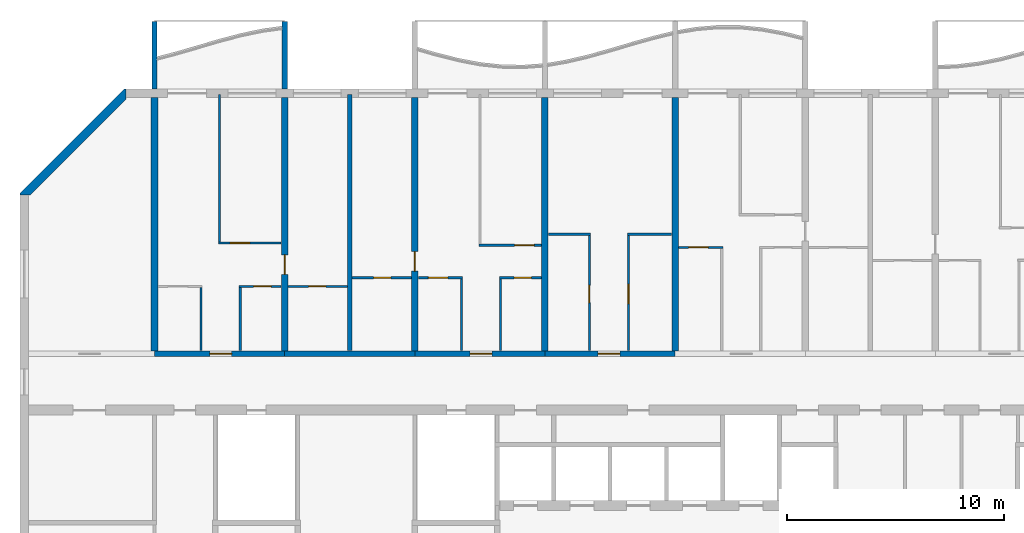
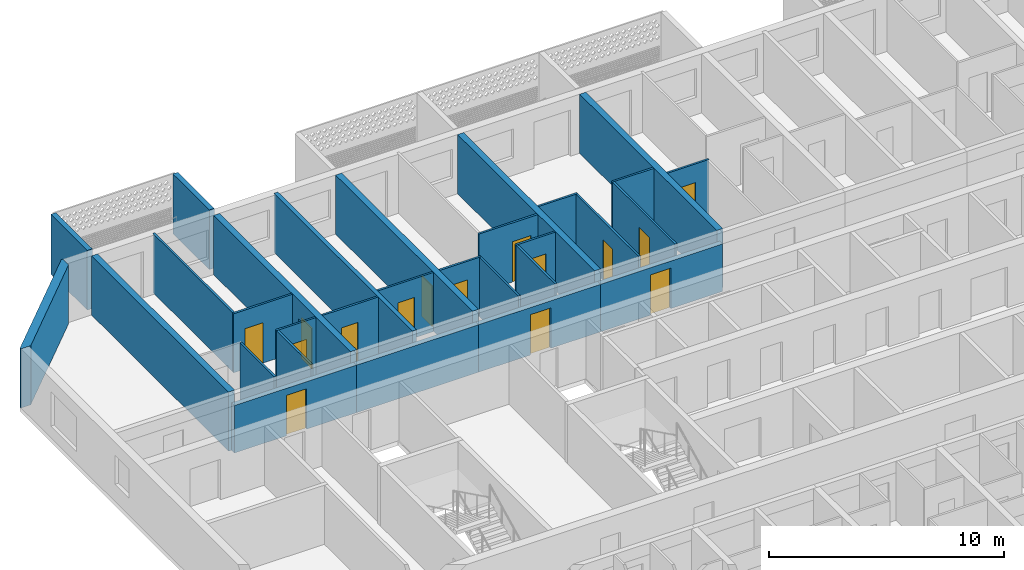
# One storey, part 9 of 33: 30 walls, 15 doors, 15 openings.
"""IFC4 building model written with IfcOpenShell, lengths in metres."""

from ifc_helpers import new_model, si_unit, direction, frame, frame_2d, origin, place, context, subcontext, project, spatial, polyline, rectangle, outline, extrude, source, transform, mapped, material, layer, layer_set, type_object, element, fill, save


model = new_model("IFC4")

# Units and contexts
model_context = context("Model", 3, precision=1e-05, world=origin(), true_north=direction((0.0, 1.0)))
body_context = subcontext(model_context, "Body", "Model", "MODEL_VIEW")
ifc_project = project(units=[si_unit("LENGTHUNIT", "METRE"), si_unit("AREAUNIT", "SQUARE_METRE"), si_unit("VOLUMEUNIT", "CUBIC_METRE"), si_unit("PLANEANGLEUNIT", "RADIAN"), si_unit("MASSUNIT", "GRAM", prefix="KILO")], contexts=[model_context])

# Site, building, storey
site_placement = place(None, origin())
site = spatial("IfcSite", under=ifc_project, at=site_placement, CompositionType="ELEMENT")
building_placement = place(site_placement, origin())
building = spatial("IfcBuilding", under=site, at=building_placement, Name="Poui Terraces", CompositionType="ELEMENT")
storey_placement = place(building_placement, frame((0.0, 0.0, 138.89990234375)))
storey = spatial("IfcBuildingStorey", under=building, at=storey_placement, Name="L38", CompositionType="ELEMENT", Elevation=138.89990234375)

# Wall, opening, door
ifc_material_1 = material(Name="Concrete 65 MPa", Category="concrete")
ifc_layer_1 = layer(ifc_material_1, 0.25)
ifc_layer_set_1 = layer_set([ifc_layer_1], Name="Concrete 65 MPa")
wall_type_1 = type_object("IfcWallType", Name="CORRIDOR WALL 250 65MPa", PredefinedType="SHEAR", material=ifc_layer_set_1)
wall_1_placement = place(storey_placement, frame((18.0, 30.39990234375, 0.0), z_axis=(0.0, 0.0, 1.0), x_axis=(1.0, 0.0, 0.0)))
wall_1 = element("IfcWall", 1, at=wall_1_placement, inside=storey, type_object=wall_type_1, Name="CORRIDOR WALL LINE E BAY 2", PredefinedType="SHEAR", context=body_context, shape_type="SweptSolid", body=[
    extrude(rectangle(XDim=6.0, YDim=0.25, at=frame_2d((3.0, 0.0))), origin(), (0.0, 0.0, 1.0), 2.47021484375),
])
opening_1_placement = place(wall_1_placement, frame((2.550048828125, 0.0, 0.0)))
opening_1 = element("IfcOpeningElement", 2, at=opening_1_placement, cuts=wall_1, Name="Opening FD30S", PredefinedType="OPENING", context=body_context, shape_type="SweptSolid", body=[
    extrude(rectangle(XDim=1.0, YDim=2.10009765625, at=frame_2d((0.5, 1.050048828125))), frame((0.0, 0.135009765625, 0.0), z_axis=(0.0, -1.0, 0.0), x_axis=(1.0, 0.0, 0.0)), (0.0, 0.0, 1.0), 0.27001953125),
])
ifc_material_2 = material(Name="Steel fire door", Category="steel")
door_type_1 = type_object("IfcDoorType", Name="FLAT ENTRANCE DOOR 1000 X 2100", OperationType="NOTDEFINED", PredefinedType="DOOR", material=ifc_material_2)
door_1_placement = place(opening_1_placement, origin())
door_1 = element("IfcDoor", 3, at=door_1_placement, inside=storey, type_object=door_type_1, Name="FLAT ENTRANCE DOOR 034", OperationType="SINGLE_SWING_RIGHT", OverallHeight=2.10009765625, OverallWidth=1.0, PredefinedType="DOOR", context=body_context, shape_type="SweptSolid", body=[
    extrude(rectangle(XDim=1.0, YDim=2.10009765625, at=frame_2d((0.5, 1.050048828125))), frame((0.0, 0.02490234375, 0.0), z_axis=(0.0, -1.0, 0.0), x_axis=(1.0, 0.0, 0.0)), (0.0, 0.0, 1.0), 0.050048828125),
])
fill(opening_1, door_1)

# Wall
wall_2_placement = place(storey_placement, frame((24.0, 30.39990234375, 0.0), z_axis=(0.0, 0.0, 1.0), x_axis=(1.0, 0.0, 0.0)))
element("IfcWall", 4, at=wall_2_placement, inside=storey, type_object=wall_type_1, Name="CORRIDOR WALL LINE E BAY 3", PredefinedType="SHEAR", context=body_context, shape_type="SweptSolid", body=[
    extrude(rectangle(XDim=6.0, YDim=0.25, at=frame_2d((3.0, 0.0))), origin(), (0.0, 0.0, 1.0), 2.47021484375),
])

# Wall, opening, door
wall_3_placement = place(storey_placement, frame((30.0, 30.39990234375, 0.0), z_axis=(0.0, 0.0, 1.0), x_axis=(1.0, 0.0, 0.0)))
wall_3 = element("IfcWall", 5, at=wall_3_placement, inside=storey, type_object=wall_type_1, Name="CORRIDOR WALL LINE E BAY 4", PredefinedType="SHEAR", context=body_context, shape_type="SweptSolid", body=[
    extrude(rectangle(XDim=6.0, YDim=0.25, at=frame_2d((3.0, 0.0))), origin(), (0.0, 0.0, 1.0), 2.47021484375),
])
opening_2_placement = place(wall_3_placement, frame((2.550048828125, 0.0, 0.0)))
opening_2 = element("IfcOpeningElement", 6, at=opening_2_placement, cuts=wall_3, Name="Opening FD30S", PredefinedType="OPENING", context=body_context, shape_type="SweptSolid", body=[
    extrude(rectangle(XDim=1.0, YDim=2.10009765625, at=frame_2d((0.5, 1.050048828125))), frame((0.0, 0.135009765625, 0.0), z_axis=(0.0, -1.0, 0.0), x_axis=(1.0, 0.0, 0.0)), (0.0, 0.0, 1.0), 0.27001953125),
])
door_2_placement = place(opening_2_placement, origin())
door_2 = element("IfcDoor", 7, at=door_2_placement, inside=storey, type_object=door_type_1, Name="FLAT ENTRANCE DOOR 041", OperationType="SINGLE_SWING_RIGHT", OverallHeight=2.10009765625, OverallWidth=1.0, PredefinedType="DOOR", context=body_context, shape_type="SweptSolid", body=[
    extrude(rectangle(XDim=1.0, YDim=2.10009765625, at=frame_2d((0.5, 1.050048828125))), frame((0.0, 0.02490234375, 0.0), z_axis=(0.0, -1.0, 0.0), x_axis=(1.0, 0.0, 0.0)), (0.0, 0.0, 1.0), 0.050048828125),
])
fill(opening_2, door_2)

wall_4_placement = place(storey_placement, frame((36.0, 30.39990234375, 0.0), z_axis=(0.0, 0.0, 1.0), x_axis=(1.0, 0.0, 0.0)))
wall_4 = element("IfcWall", 8, at=wall_4_placement, inside=storey, type_object=wall_type_1, Name="CORRIDOR WALL LINE E BAY 5", PredefinedType="SHEAR", context=body_context, shape_type="SweptSolid", body=[
    extrude(rectangle(XDim=6.0, YDim=0.25, at=frame_2d((3.0, 0.0))), origin(), (0.0, 0.0, 1.0), 2.47021484375),
])
opening_3_placement = place(wall_4_placement, frame((2.449951171875, 0.0, 0.0)))
opening_3 = element("IfcOpeningElement", 9, at=opening_3_placement, cuts=wall_4, Name="Opening FD30S", PredefinedType="OPENING", context=body_context, shape_type="SweptSolid", body=[
    extrude(rectangle(XDim=1.0, YDim=2.10009765625, at=frame_2d((0.5, 1.050048828125))), frame((0.0, 0.135009765625, 0.0), z_axis=(0.0, -1.0, 0.0), x_axis=(1.0, 0.0, 0.0)), (0.0, 0.0, 1.0), 0.27001953125),
])
door_3_placement = place(opening_3_placement, origin())
door_3 = element("IfcDoor", 10, at=door_3_placement, inside=storey, type_object=door_type_1, Name="FLAT ENTRANCE DOOR 045", OperationType="SINGLE_SWING_LEFT", OverallHeight=2.10009765625, OverallWidth=1.0, PredefinedType="DOOR", context=body_context, shape_type="SweptSolid", body=[
    extrude(rectangle(XDim=1.0, YDim=2.10009765625, at=frame_2d((0.5, 1.050048828125))), frame((0.0, 0.02490234375, 0.0), z_axis=(0.0, -1.0, 0.0), x_axis=(1.0, 0.0, 0.0)), (0.0, 0.0, 1.0), 0.050048828125),
])
fill(opening_3, door_3)

# Wall
ifc_layer_2 = layer(ifc_material_1, 0.300048828125)
ifc_layer_set_2 = layer_set([ifc_layer_2], Name="Concrete 65 MPa")
wall_type_2 = type_object("IfcWallType", Name="CROSS WALL 300 65MPa", PredefinedType="SHEAR", material=ifc_layer_set_2)
wall_5_placement = place(storey_placement, frame((18.0, 30.52490234375, 0.0), z_axis=(0.0, 0.0, 1.0), x_axis=(0.0, 1.0, 0.0)))
element("IfcWall", 11, at=wall_5_placement, inside=storey, type_object=wall_type_2, Name="CROSS WALL LINE 4 NORTH", PredefinedType="SHEAR", context=body_context, shape_type="SweptSolid", body=[
    extrude(rectangle(XDim=11.675048828125, YDim=0.300048828125, at=frame_2d((5.83740234375, 0.0))), origin(), (0.0, 0.0, 1.0), 3.070068359375),
])

# Wall, opening, door
wall_6_placement = place(storey_placement, frame((24.0, 30.52490234375, 0.0), z_axis=(0.0, 0.0, 1.0), x_axis=(0.0, 1.0, 0.0)))
wall_6 = element("IfcWall", 12, at=wall_6_placement, inside=storey, type_object=wall_type_2, Name="CROSS WALL LINE 5 NORTH", PredefinedType="SHEAR", context=body_context, shape_type="SweptSolid", body=[
    extrude(rectangle(XDim=11.675048828125, YDim=0.300048828125, at=frame_2d((5.83740234375, 0.0))), origin(), (0.0, 0.0, 1.0), 3.070068359375),
])
opening_4_placement = place(wall_6_placement, frame((3.52490234375, 0.0, 0.0)))
opening_4 = element("IfcOpeningElement", 13, at=opening_4_placement, cuts=wall_6, Name="Opening D90", PredefinedType="OPENING", context=body_context, shape_type="SweptSolid", body=[
    extrude(rectangle(XDim=0.89990234375, YDim=2.10009765625, at=frame_2d((0.449951171875, 1.050048828125))), frame((0.0, 0.16015625, 0.0), z_axis=(0.0, -1.0, 0.0), x_axis=(1.0, 0.0, 0.0)), (0.0, 0.0, 1.0), 0.320068359375),
])
ifc_material_3 = material(Name="Solid core timber door", Category="wood")
door_type_2 = type_object("IfcDoorType", Name="INTERNAL DOOR 900 X 2100", OperationType="NOTDEFINED", PredefinedType="DOOR", material=ifc_material_3)
door_4_placement = place(opening_4_placement, frame((0.89990234375, 0.0, 0.0), z_axis=(0.0, 0.0, 1.0), x_axis=(-1.0, 0.0, 0.0)))
door_4 = element("IfcDoor", 14, at=door_4_placement, inside=storey, type_object=door_type_2, Name="INTERNAL DOOR 037", OperationType="SINGLE_SWING_RIGHT", OverallHeight=2.10009765625, OverallWidth=0.89990234375, PredefinedType="DOOR", context=body_context, shape_type="SweptSolid", body=[
    extrude(rectangle(XDim=0.89990234375, YDim=2.10009765625, at=frame_2d((0.449951171875, 1.050048828125))), frame((0.0, 0.02490234375, 0.0), z_axis=(0.0, -1.0, 0.0), x_axis=(1.0, 0.0, 0.0)), (0.0, 0.0, 1.0), 0.050048828125),
])
fill(opening_4, door_4)

wall_7_placement = place(storey_placement, frame((30.0, 30.52490234375, 0.0), z_axis=(0.0, 0.0, 1.0), x_axis=(0.0, 1.0, 0.0)))
wall_7 = element("IfcWall", 15, at=wall_7_placement, inside=storey, type_object=wall_type_2, Name="CROSS WALL LINE 6 NORTH", PredefinedType="SHEAR", context=body_context, shape_type="SweptSolid", body=[
    extrude(rectangle(XDim=11.675048828125, YDim=0.300048828125, at=frame_2d((5.83740234375, 0.0))), origin(), (0.0, 0.0, 1.0), 3.070068359375),
])
opening_5_placement = place(wall_7_placement, frame((3.675048828125, 0.0, 0.0)))
opening_5 = element("IfcOpeningElement", 16, at=opening_5_placement, cuts=wall_7, Name="Opening D90", PredefinedType="OPENING", context=body_context, shape_type="SweptSolid", body=[
    extrude(rectangle(XDim=0.89990234375, YDim=2.10009765625, at=frame_2d((0.449951171875, 1.050048828125))), frame((0.0, 0.16015625, 0.0), z_axis=(0.0, -1.0, 0.0), x_axis=(1.0, 0.0, 0.0)), (0.0, 0.0, 1.0), 0.320068359375),
])
door_5_placement = place(opening_5_placement, origin())
door_5 = element("IfcDoor", 17, at=door_5_placement, inside=storey, type_object=door_type_2, Name="INTERNAL DOOR 039", OperationType="SINGLE_SWING_LEFT", OverallHeight=2.10009765625, OverallWidth=0.89990234375, PredefinedType="DOOR", context=body_context, shape_type="SweptSolid", body=[
    extrude(rectangle(XDim=0.89990234375, YDim=2.10009765625, at=frame_2d((0.449951171875, 1.050048828125))), frame((0.0, 0.02490234375, 0.0), z_axis=(0.0, -1.0, 0.0), x_axis=(1.0, 0.0, 0.0)), (0.0, 0.0, 1.0), 0.050048828125),
])
fill(opening_5, door_5)

# Walls
for number, where, z_axis, x_axis, name in (
    (18, (36.0, 30.52490234375, 0.0), (0.0, 0.0, 1.0), (0.0, 1.0, 0.0), "CROSS WALL LINE 7 NORTH"),
    (19, (42.0, 30.52490234375, 0.0), (0.0, 0.0, 1.0), (0.0, 1.0, 0.0), "CROSS WALL LINE 8 NORTH"),
):
    element("IfcWall", number, at=place(storey_placement, frame(where, z_axis=z_axis, x_axis=x_axis)), inside=storey, type_object=wall_type_2, Name=name, PredefinedType="SHEAR", context=body_context, shape_type="SweptSolid", body=[
        extrude(rectangle(XDim=11.675048828125, YDim=0.300048828125, at=frame_2d((5.83740234375, 0.0))), origin(), (0.0, 0.0, 1.0), 3.070068359375),
    ])

# Wall, opening, door
ifc_material_4 = material(Name="Plasterboard partition")
ifc_layer_3 = layer(ifc_material_4, 0.10009765625)
ifc_layer_set_3 = layer_set([ifc_layer_3], Name="Plasterboard partition")
wall_type_3 = type_object("IfcWallType", Name="FLAT PARTITION 100", PredefinedType="PARTITIONING", material=ifc_layer_set_3)
wall_8_placement = place(storey_placement, frame((21.89990234375, 33.5, 0.0), z_axis=(0.0, 0.0, 1.0), x_axis=(1.0, 0.0, 0.0)))
wall_8 = element("IfcWall", 20, at=wall_8_placement, inside=storey, type_object=wall_type_3, Name="FLAT PARTITION 100", PredefinedType="PARTITIONING", context=body_context, shape_type="SweptSolid", body=[
    extrude(rectangle(XDim=1.940185546875, YDim=0.10009765625, at=frame_2d((0.97021484375, 0.0))), origin(), (0.0, 0.0, 1.0), 3.070068359375),
])
opening_6_placement = place(wall_8_placement, frame((0.675048828125, 0.0, 0.0)))
opening_6 = element("IfcOpeningElement", 21, at=opening_6_placement, cuts=wall_8, Name="Opening D80", PredefinedType="OPENING", context=body_context, shape_type="SweptSolid", body=[
    extrude(rectangle(XDim=0.800048828125, YDim=2.10009765625, at=frame_2d((0.39990234375, 1.050048828125))), frame((0.0, 0.06005859375, 0.0), z_axis=(0.0, -1.0, 0.0), x_axis=(1.0, 0.0, 0.0)), (0.0, 0.0, 1.0), 0.1201171875),
])
door_type_3 = type_object("IfcDoorType", Name="BATHROOM, LAUNDRY AND STORE DOOR 800 X 2100", OperationType="NOTDEFINED", PredefinedType="DOOR", material=ifc_material_3)
door_6_placement = place(opening_6_placement, frame((0.800048828125, 0.0, 0.0), z_axis=(0.0, 0.0, 1.0), x_axis=(-1.0, 0.0, 0.0)))
door_6 = element("IfcDoor", 22, at=door_6_placement, inside=storey, type_object=door_type_3, Name="BATHROOM, LAUNDRY AND STORE DOOR 036", OperationType="SINGLE_SWING_RIGHT", OverallHeight=2.10009765625, OverallWidth=0.800048828125, PredefinedType="DOOR", context=body_context, shape_type="SweptSolid", body=[
    extrude(rectangle(XDim=0.800048828125, YDim=2.10009765625, at=frame_2d((0.39990234375, 1.050048828125))), frame((0.0, 0.02490234375, 0.0), z_axis=(0.0, -1.0, 0.0), x_axis=(1.0, 0.0, 0.0)), (0.0, 0.0, 1.0), 0.050048828125),
])
fill(opening_6, door_6)

wall_9_placement = place(storey_placement, frame((24.159912109375, 33.5, 0.0), z_axis=(0.0, 0.0, 1.0), x_axis=(1.0, 0.0, 0.0)))
wall_9 = element("IfcWall", 23, at=wall_9_placement, inside=storey, type_object=wall_type_3, Name="FLAT PARTITION 100", PredefinedType="PARTITIONING", context=body_context, shape_type="SweptSolid", body=[
    extrude(rectangle(XDim=2.739990234375, YDim=0.10009765625, at=frame_2d((1.3701171875, 0.0))), origin(), (0.0, 0.0, 1.0), 3.070068359375),
])
opening_7_placement = place(wall_9_placement, frame((0.93994140625, 0.0, 0.0)))
opening_7 = element("IfcOpeningElement", 24, at=opening_7_placement, cuts=wall_9, Name="Opening D80", PredefinedType="OPENING", context=body_context, shape_type="SweptSolid", body=[
    extrude(rectangle(XDim=0.800048828125, YDim=2.10009765625, at=frame_2d((0.39990234375, 1.050048828125))), frame((0.0, 0.06005859375, 0.0), z_axis=(0.0, -1.0, 0.0), x_axis=(1.0, 0.0, 0.0)), (0.0, 0.0, 1.0), 0.1201171875),
])
door_7_placement = place(opening_7_placement, frame((0.800048828125, 0.0, 0.0), z_axis=(0.0, 0.0, 1.0), x_axis=(-1.0, 0.0, 0.0)))
door_7 = element("IfcDoor", 25, at=door_7_placement, inside=storey, type_object=door_type_3, Name="BATHROOM, LAUNDRY AND STORE DOOR 032", OperationType="SINGLE_SWING_LEFT", OverallHeight=2.10009765625, OverallWidth=0.800048828125, PredefinedType="DOOR", context=body_context, shape_type="SweptSolid", body=[
    extrude(rectangle(XDim=0.800048828125, YDim=2.10009765625, at=frame_2d((0.39990234375, 1.050048828125))), frame((0.0, 0.02490234375, 0.0), z_axis=(0.0, -1.0, 0.0), x_axis=(1.0, 0.0, 0.0)), (0.0, 0.0, 1.0), 0.050048828125),
])
fill(opening_7, door_7)

wall_10_placement = place(storey_placement, frame((27.10009765625, 33.89990234375, 0.0), z_axis=(0.0, 0.0, 1.0), x_axis=(1.0, 0.0, 0.0)))
wall_10 = element("IfcWall", 26, at=wall_10_placement, inside=storey, type_object=wall_type_3, Name="FLAT PARTITION 100", PredefinedType="PARTITIONING", context=body_context, shape_type="SweptSolid", body=[
    extrude(rectangle(XDim=2.739990234375, YDim=0.10009765625, at=frame_2d((1.3701171875, 0.0))), origin(), (0.0, 0.0, 1.0), 3.070068359375),
])
opening_8_placement = place(wall_10_placement, frame((1.0, 0.0, 0.0)))
opening_8 = element("IfcOpeningElement", 27, at=opening_8_placement, cuts=wall_10, Name="Opening D80", PredefinedType="OPENING", context=body_context, shape_type="SweptSolid", body=[
    extrude(rectangle(XDim=0.800048828125, YDim=2.10009765625, at=frame_2d((0.39990234375, 1.050048828125))), frame((0.0, 0.06005859375, 0.0), z_axis=(0.0, -1.0, 0.0), x_axis=(1.0, 0.0, 0.0)), (0.0, 0.0, 1.0), 0.1201171875),
])
door_8_placement = place(opening_8_placement, frame((0.800048828125, 0.0, 0.0), z_axis=(0.0, 0.0, 1.0), x_axis=(-1.0, 0.0, 0.0)))
door_8 = element("IfcDoor", 28, at=door_8_placement, inside=storey, type_object=door_type_3, Name="BATHROOM, LAUNDRY AND STORE DOOR 038", OperationType="SINGLE_SWING_RIGHT", OverallHeight=2.10009765625, OverallWidth=0.800048828125, PredefinedType="DOOR", context=body_context, shape_type="SweptSolid", body=[
    extrude(rectangle(XDim=0.800048828125, YDim=2.10009765625, at=frame_2d((0.39990234375, 1.050048828125))), frame((0.0, 0.02490234375, 0.0), z_axis=(0.0, -1.0, 0.0), x_axis=(1.0, 0.0, 0.0)), (0.0, 0.0, 1.0), 0.050048828125),
])
fill(opening_8, door_8)

wall_11_placement = place(storey_placement, frame((30.159912109375, 33.89990234375, 0.0), z_axis=(0.0, 0.0, 1.0), x_axis=(1.0, 0.0, 0.0)))
wall_11 = element("IfcWall", 29, at=wall_11_placement, inside=storey, type_object=wall_type_3, Name="FLAT PARTITION 100", PredefinedType="PARTITIONING", context=body_context, shape_type="SweptSolid", body=[
    extrude(rectangle(XDim=2.0400390625, YDim=0.10009765625, at=frame_2d((1.02001953125, 0.0))), origin(), (0.0, 0.0, 1.0), 3.070068359375),
])
opening_9_placement = place(wall_11_placement, frame((0.465087890625, 0.0, 0.0)))
opening_9 = element("IfcOpeningElement", 30, at=opening_9_placement, cuts=wall_11, Name="Opening D90", PredefinedType="OPENING", context=body_context, shape_type="SweptSolid", body=[
    extrude(rectangle(XDim=0.89990234375, YDim=2.10009765625, at=frame_2d((0.449951171875, 1.050048828125))), frame((0.0, 0.06005859375, 0.0), z_axis=(0.0, -1.0, 0.0), x_axis=(1.0, 0.0, 0.0)), (0.0, 0.0, 1.0), 0.1201171875),
])
door_9_placement = place(opening_9_placement, frame((0.89990234375, 0.0, 0.0), z_axis=(0.0, 0.0, 1.0), x_axis=(-1.0, 0.0, 0.0)))
door_9 = element("IfcDoor", 31, at=door_9_placement, inside=storey, type_object=door_type_2, Name="INTERNAL DOOR 040", OperationType="SINGLE_SWING_RIGHT", OverallHeight=2.10009765625, OverallWidth=0.89990234375, PredefinedType="DOOR", context=body_context, shape_type="SweptSolid", body=[
    extrude(rectangle(XDim=0.89990234375, YDim=2.10009765625, at=frame_2d((0.449951171875, 1.050048828125))), frame((0.0, 0.02490234375, 0.0), z_axis=(0.0, -1.0, 0.0), x_axis=(1.0, 0.0, 0.0)), (0.0, 0.0, 1.0), 0.050048828125),
])
fill(opening_9, door_9)

wall_12_placement = place(storey_placement, frame((33.89990234375, 33.89990234375, 0.0), z_axis=(0.0, 0.0, 1.0), x_axis=(1.0, 0.0, 0.0)))
wall_12 = element("IfcWall", 32, at=wall_12_placement, inside=storey, type_object=wall_type_3, Name="FLAT PARTITION 100", PredefinedType="PARTITIONING", context=body_context, shape_type="SweptSolid", body=[
    extrude(rectangle(XDim=1.940185546875, YDim=0.10009765625, at=frame_2d((0.97021484375, 0.0))), origin(), (0.0, 0.0, 1.0), 3.070068359375),
])
opening_10_placement = place(wall_12_placement, frame((0.675048828125, 0.0, 0.0)))
opening_10 = element("IfcOpeningElement", 33, at=opening_10_placement, cuts=wall_12, Name="Opening D80", PredefinedType="OPENING", context=body_context, shape_type="SweptSolid", body=[
    extrude(rectangle(XDim=0.800048828125, YDim=2.10009765625, at=frame_2d((0.39990234375, 1.050048828125))), frame((0.0, 0.06005859375, 0.0), z_axis=(0.0, -1.0, 0.0), x_axis=(1.0, 0.0, 0.0)), (0.0, 0.0, 1.0), 0.1201171875),
])
door_10_placement = place(opening_10_placement, frame((0.800048828125, 0.0, 0.0), z_axis=(0.0, 0.0, 1.0), x_axis=(-1.0, 0.0, 0.0)))
door_10 = element("IfcDoor", 34, at=door_10_placement, inside=storey, type_object=door_type_3, Name="BATHROOM, LAUNDRY AND STORE DOOR 042", OperationType="SINGLE_SWING_LEFT", OverallHeight=2.10009765625, OverallWidth=0.800048828125, PredefinedType="DOOR", context=body_context, shape_type="SweptSolid", body=[
    extrude(rectangle(XDim=0.800048828125, YDim=2.10009765625, at=frame_2d((0.39990234375, 1.050048828125))), frame((0.0, 0.02490234375, 0.0), z_axis=(0.0, -1.0, 0.0), x_axis=(1.0, 0.0, 0.0)), (0.0, 0.0, 1.0), 0.050048828125),
])
fill(opening_10, door_10)

wall_13_placement = place(storey_placement, frame((42.159912109375, 35.300048828125, 0.0), z_axis=(0.0, 0.0, 1.0), x_axis=(1.0, 0.0, 0.0)))
wall_13 = element("IfcWall", 35, at=wall_13_placement, inside=storey, type_object=wall_type_3, Name="FLAT PARTITION 100", PredefinedType="PARTITIONING", context=body_context, shape_type="SweptSolid", body=[
    extrude(rectangle(XDim=2.0400390625, YDim=0.10009765625, at=frame_2d((1.02001953125, 0.0))), origin(), (0.0, 0.0, 1.0), 3.070068359375),
])
opening_11_placement = place(wall_13_placement, frame((0.465087890625, 0.0, 0.0)))
opening_11 = element("IfcOpeningElement", 36, at=opening_11_placement, cuts=wall_13, Name="Opening D90", PredefinedType="OPENING", context=body_context, shape_type="SweptSolid", body=[
    extrude(rectangle(XDim=0.89990234375, YDim=2.10009765625, at=frame_2d((0.449951171875, 1.050048828125))), frame((0.0, 0.06005859375, 0.0), z_axis=(0.0, -1.0, 0.0), x_axis=(1.0, 0.0, 0.0)), (0.0, 0.0, 1.0), 0.1201171875),
])
door_11_placement = place(opening_11_placement, frame((0.89990234375, 0.0, 0.0), z_axis=(0.0, 0.0, 1.0), x_axis=(-1.0, 0.0, 0.0)))
door_11 = element("IfcDoor", 37, at=door_11_placement, inside=storey, type_object=door_type_2, Name="INTERNAL DOOR 048", OperationType="SINGLE_SWING_RIGHT", OverallHeight=2.10009765625, OverallWidth=0.89990234375, PredefinedType="DOOR", context=body_context, shape_type="SweptSolid", body=[
    extrude(rectangle(XDim=0.89990234375, YDim=2.10009765625, at=frame_2d((0.449951171875, 1.050048828125))), frame((0.0, 0.02490234375, 0.0), z_axis=(0.0, -1.0, 0.0), x_axis=(1.0, 0.0, 0.0)), (0.0, 0.0, 1.0), 0.050048828125),
])
fill(opening_11, door_11)

wall_14_placement = place(storey_placement, frame((32.949951171875, 35.39990234375, 0.0), z_axis=(0.0, 0.0, 1.0), x_axis=(1.0, 0.0, 0.0)))
wall_14 = element("IfcWall", 38, at=wall_14_placement, inside=storey, type_object=wall_type_3, Name="FLAT PARTITION 100", PredefinedType="PARTITIONING", context=body_context, shape_type="SweptSolid", body=[
    extrude(rectangle(XDim=2.89013671875, YDim=0.10009765625, at=frame_2d((1.445068359375, 0.0))), origin(), (0.0, 0.0, 1.0), 3.070068359375),
])
opening_12_placement = place(wall_14_placement, frame((1.64990234375, 0.0, 0.0)))
opening_12 = element("IfcOpeningElement", 39, at=opening_12_placement, cuts=wall_14, Name="Opening D90", PredefinedType="OPENING", context=body_context, shape_type="SweptSolid", body=[
    extrude(rectangle(XDim=0.89990234375, YDim=2.10009765625, at=frame_2d((0.449951171875, 1.050048828125))), frame((0.0, 0.06005859375, 0.0), z_axis=(0.0, -1.0, 0.0), x_axis=(1.0, 0.0, 0.0)), (0.0, 0.0, 1.0), 0.1201171875),
])
door_12_placement = place(opening_12_placement, frame((0.89990234375, 0.0, 0.0), z_axis=(0.0, 0.0, 1.0), x_axis=(-1.0, 0.0, 0.0)))
door_12 = element("IfcDoor", 40, at=door_12_placement, inside=storey, type_object=door_type_2, Name="INTERNAL DOOR 043", OperationType="SINGLE_SWING_RIGHT", OverallHeight=2.10009765625, OverallWidth=0.89990234375, PredefinedType="DOOR", context=body_context, shape_type="SweptSolid", body=[
    extrude(rectangle(XDim=0.89990234375, YDim=2.10009765625, at=frame_2d((0.449951171875, 1.050048828125))), frame((0.0, 0.02490234375, 0.0), z_axis=(0.0, -1.0, 0.0), x_axis=(1.0, 0.0, 0.0)), (0.0, 0.0, 1.0), 0.050048828125),
])
fill(opening_12, door_12)

wall_15_placement = place(storey_placement, frame((20.949951171875, 35.5, 0.0), z_axis=(0.0, 0.0, 1.0), x_axis=(1.0, 0.0, 0.0)))
wall_15 = element("IfcWall", 41, at=wall_15_placement, inside=storey, type_object=wall_type_3, Name="FLAT PARTITION 100", PredefinedType="PARTITIONING", context=body_context, shape_type="SweptSolid", body=[
    extrude(rectangle(XDim=2.89013671875, YDim=0.10009765625, at=frame_2d((1.445068359375, 0.0))), origin(), (0.0, 0.0, 1.0), 3.070068359375),
])
opening_13_placement = place(wall_15_placement, frame((0.550048828125, 0.0, 0.0)))
opening_13 = element("IfcOpeningElement", 42, at=opening_13_placement, cuts=wall_15, Name="Opening D90", PredefinedType="OPENING", context=body_context, shape_type="SweptSolid", body=[
    extrude(rectangle(XDim=0.89990234375, YDim=2.10009765625, at=frame_2d((0.449951171875, 1.050048828125))), frame((0.0, 0.06005859375, 0.0), z_axis=(0.0, -1.0, 0.0), x_axis=(1.0, 0.0, 0.0)), (0.0, 0.0, 1.0), 0.1201171875),
])
door_13_placement = place(opening_13_placement, frame((0.89990234375, 0.0, 0.0), z_axis=(0.0, 0.0, 1.0), x_axis=(-1.0, 0.0, 0.0)))
door_13 = element("IfcDoor", 43, at=door_13_placement, inside=storey, type_object=door_type_2, Name="INTERNAL DOOR 035", OperationType="SINGLE_SWING_LEFT", OverallHeight=2.10009765625, OverallWidth=0.89990234375, PredefinedType="DOOR", context=body_context, shape_type="SweptSolid", body=[
    extrude(rectangle(XDim=0.89990234375, YDim=2.10009765625, at=frame_2d((0.449951171875, 1.050048828125))), frame((0.0, 0.02490234375, 0.0), z_axis=(0.0, -1.0, 0.0), x_axis=(1.0, 0.0, 0.0)), (0.0, 0.0, 1.0), 0.050048828125),
])
fill(opening_13, door_13)

# Walls
wall_16_placement = place(storey_placement, frame((36.159912109375, 35.89990234375, 0.0), z_axis=(0.0, 0.0, 1.0), x_axis=(1.0, 0.0, 0.0)))
element("IfcWall", 44, at=wall_16_placement, inside=storey, type_object=wall_type_3, Name="FLAT PARTITION 100", PredefinedType="PARTITIONING", context=body_context, shape_type="SweptSolid", body=[
    extrude(rectangle(XDim=1.940185546875, YDim=0.10009765625, at=frame_2d((0.97021484375, 0.0))), origin(), (0.0, 0.0, 1.0), 3.070068359375),
])
wall_17_placement = place(storey_placement, frame((39.800048828125, 35.89990234375, 0.0), z_axis=(0.0, 0.0, 1.0), x_axis=(1.0, 0.0, 0.0)))
element("IfcWall", 45, at=wall_17_placement, inside=storey, type_object=wall_type_3, Name="FLAT PARTITION 100", PredefinedType="PARTITIONING", context=body_context, shape_type="SweptSolid", body=[
    extrude(rectangle(XDim=2.0400390625, YDim=0.10009765625, at=frame_2d((1.02001953125, 0.0))), origin(), (0.0, 0.0, 1.0), 3.070068359375),
])
wall_18_placement = place(storey_placement, frame((20.14990234375, 30.534912109375, 0.0), z_axis=(0.0, 0.0, 1.0), x_axis=(0.0, 1.0, 0.0)))
element("IfcWall", 46, at=wall_18_placement, inside=storey, type_object=wall_type_3, Name="FLAT PARTITION 100", PredefinedType="PARTITIONING", context=body_context, shape_type="SweptSolid", body=[
    extrude(rectangle(XDim=2.9150390625, YDim=0.10009765625, at=frame_2d((1.45751953125, 0.0))), origin(), (0.0, 0.0, 1.0), 3.070068359375),
])
wall_19_placement = place(storey_placement, frame((21.0, 35.550048828125, 0.0), z_axis=(0.0, 0.0, 1.0), x_axis=(0.0, 1.0, 0.0)))
element("IfcWall", 47, at=wall_19_placement, inside=storey, type_object=wall_type_3, Name="FLAT PARTITION 100", PredefinedType="PARTITIONING", context=body_context, shape_type="SweptSolid", body=[
    extrude(rectangle(XDim=6.7900390625, YDim=0.10009765625, at=frame_2d((3.39501953125, 0.0))), origin(), (0.0, 0.0, 1.0), 3.070068359375),
])
wall_20_placement = place(storey_placement, frame((21.949951171875, 30.534912109375, 0.0), z_axis=(0.0, 0.0, 1.0), x_axis=(0.0, 1.0, 0.0)))
element("IfcWall", 48, at=wall_20_placement, inside=storey, type_object=wall_type_3, Name="FLAT PARTITION 100", PredefinedType="PARTITIONING", context=body_context, shape_type="SweptSolid", body=[
    extrude(rectangle(XDim=2.9150390625, YDim=0.10009765625, at=frame_2d((1.45751953125, 0.0))), origin(), (0.0, 0.0, 1.0), 3.070068359375),
])
for number, where, z_axis, x_axis, name in (
    (49, (32.14990234375, 30.534912109375, 0.0), (0.0, 0.0, 1.0), (0.0, 1.0, 0.0), "FLAT PARTITION 100"),
    (50, (33.949951171875, 30.534912109375, 0.0), (0.0, 0.0, 1.0), (0.0, 1.0, 0.0), "FLAT PARTITION 100"),
):
    element("IfcWall", number, at=place(storey_placement, frame(where, z_axis=z_axis, x_axis=x_axis)), inside=storey, type_object=wall_type_3, Name=name, PredefinedType="PARTITIONING", context=body_context, shape_type="SweptSolid", body=[
        extrude(rectangle(XDim=3.315185546875, YDim=0.10009765625, at=frame_2d((1.65771484375, 0.0))), origin(), (0.0, 0.0, 1.0), 3.070068359375),
    ])

# Wall, opening, door
wall_21_placement = place(storey_placement, frame((38.050048828125, 30.534912109375, 0.0), z_axis=(0.0, 0.0, 1.0), x_axis=(0.0, 1.0, 0.0)))
wall_21 = element("IfcWall", 51, at=wall_21_placement, inside=storey, type_object=wall_type_3, Name="FLAT PARTITION 100", PredefinedType="PARTITIONING", context=body_context, shape_type="SweptSolid", body=[
    extrude(rectangle(XDim=5.315185546875, YDim=0.10009765625, at=frame_2d((2.65771484375, 0.0))), origin(), (0.0, 0.0, 1.0), 3.070068359375),
])
opening_14_placement = place(wall_21_placement, frame((2.215087890625, 0.0, 0.0)))
opening_14 = element("IfcOpeningElement", 52, at=opening_14_placement, cuts=wall_21, Name="Opening D80", PredefinedType="OPENING", context=body_context, shape_type="SweptSolid", body=[
    extrude(rectangle(XDim=0.800048828125, YDim=2.10009765625, at=frame_2d((0.39990234375, 1.050048828125))), frame((0.0, 0.06005859375, 0.0), z_axis=(0.0, -1.0, 0.0), x_axis=(1.0, 0.0, 0.0)), (0.0, 0.0, 1.0), 0.1201171875),
])
door_14_placement = place(opening_14_placement, origin())
door_14 = element("IfcDoor", 53, at=door_14_placement, inside=storey, type_object=door_type_3, Name="BATHROOM, LAUNDRY AND STORE DOOR 044", OperationType="SINGLE_SWING_LEFT", OverallHeight=2.10009765625, OverallWidth=0.800048828125, PredefinedType="DOOR", context=body_context, shape_type="SweptSolid", body=[
    extrude(rectangle(XDim=0.800048828125, YDim=2.10009765625, at=frame_2d((0.39990234375, 1.050048828125))), frame((0.0, 0.02490234375, 0.0), z_axis=(0.0, -1.0, 0.0), x_axis=(1.0, 0.0, 0.0)), (0.0, 0.0, 1.0), 0.050048828125),
])
fill(opening_14, door_14)

wall_22_placement = place(storey_placement, frame((39.85009765625, 30.534912109375, 0.0), z_axis=(0.0, 0.0, 1.0), x_axis=(0.0, 1.0, 0.0)))
wall_22 = element("IfcWall", 54, at=wall_22_placement, inside=storey, type_object=wall_type_3, Name="FLAT PARTITION 100", PredefinedType="PARTITIONING", context=body_context, shape_type="SweptSolid", body=[
    extrude(rectangle(XDim=5.315185546875, YDim=0.10009765625, at=frame_2d((2.65771484375, 0.0))), origin(), (0.0, 0.0, 1.0), 3.070068359375),
])
opening_15_placement = place(wall_22_placement, frame((2.1650390625, 0.0, 0.0)))
opening_15 = element("IfcOpeningElement", 55, at=opening_15_placement, cuts=wall_22, Name="Opening D90", PredefinedType="OPENING", context=body_context, shape_type="SweptSolid", body=[
    extrude(rectangle(XDim=0.89990234375, YDim=2.10009765625, at=frame_2d((0.449951171875, 1.050048828125))), frame((0.0, 0.06005859375, 0.0), z_axis=(0.0, -1.0, 0.0), x_axis=(1.0, 0.0, 0.0)), (0.0, 0.0, 1.0), 0.1201171875),
])
door_15_placement = place(opening_15_placement, frame((0.89990234375, 0.0, 0.0), z_axis=(0.0, 0.0, 1.0), x_axis=(-1.0, 0.0, 0.0)))
door_15 = element("IfcDoor", 56, at=door_15_placement, inside=storey, type_object=door_type_2, Name="INTERNAL DOOR 046", OperationType="SINGLE_SWING_LEFT", OverallHeight=2.10009765625, OverallWidth=0.89990234375, PredefinedType="DOOR", context=body_context, shape_type="SweptSolid", body=[
    extrude(rectangle(XDim=0.89990234375, YDim=2.10009765625, at=frame_2d((0.449951171875, 1.050048828125))), frame((0.0, 0.02490234375, 0.0), z_axis=(0.0, -1.0, 0.0), x_axis=(1.0, 0.0, 0.0)), (0.0, 0.0, 1.0), 0.050048828125),
])
fill(opening_15, door_15)

# Walls
ifc_material_5 = material(Name="Fire-rated masonry wall", Category="masonry")
ifc_layer_4 = layer(ifc_material_5, 0.199951171875)
ifc_layer_set_4 = layer_set([ifc_layer_4], Name="Fire-rated masonry wall")
wall_type_4 = type_object("IfcWallType", Name="FLAT PARTY WALL 200", PredefinedType="PARTITIONING", material=ifc_layer_set_4)
wall_23_placement = place(storey_placement, frame((27.0, 30.534912109375, 0.0), z_axis=(0.0, 0.0, 1.0), x_axis=(0.0, 1.0, 0.0)))
element("IfcWall", 57, at=wall_23_placement, inside=storey, type_object=wall_type_4, Name="FLAT PARTY WALL 200", PredefinedType="PARTITIONING", context=body_context, shape_type="SweptSolid", body=[
    extrude(rectangle(XDim=11.80517578125, YDim=0.199951171875, at=frame_2d((5.902587890625, 0.0))), origin(), (0.0, 0.0, 1.0), 3.070068359375),
])
ifc_material_6 = material(Name="Precast concrete 40 MPa", Category="concrete")
ifc_layer_5 = layer(ifc_material_6, 0.39990234375)
ifc_layer_set_5 = layer_set([ifc_layer_5], Name="Precast concrete 40 MPa")
wall_type_5 = type_object("IfcWallType", Name="TERRACOTTA CLAD CHAMFER WALL 400", PredefinedType="STANDARD", material=ifc_layer_set_5)
wall_24_placement = place(storey_placement, origin())
element("IfcWall", 58, at=wall_24_placement, inside=storey, type_object=wall_type_5, Name="CHAMFER WALL CH05", PredefinedType="STANDARD", context=body_context, shape_type="SweptSolid", body=[
    extrude(outline(polyline([(16.682861328125, 42.60009765625), (16.60009765625, 42.60009765625), (11.800048828125, 37.800048828125), (11.800048828125, 37.71728515625), (12.28271484375, 37.71728515625), (16.682861328125, 42.1171875), (16.682861328125, 42.60009765625)])), origin(), (0.0, 0.0, 1.0), 3.070068359375),
])
ifc_layer_6 = layer(ifc_material_6, 0.25)
ifc_layer_set_6 = layer_set([ifc_layer_6], Name="Precast concrete 40 MPa")
wall_type_6 = type_object("IfcWallType", Name="BALCONY FIN 250", PredefinedType="STANDARD", material=ifc_layer_set_6)
shared_shape = source(origin(), body_context, "Body", "SweptSolid", [
    extrude(outline(polyline([(0.0, 0.0), (0.25, 0.0), (0.25, 3.099853515625), (0.0, 3.099853515625), (0.0, 0.0)])), origin(), (0.0, 0.0, 1.0), 3.10009765625),
])
for number, where, name in (
    (59, (17.875, 42.60009765625, 0.0), "BALCONY FIN"),
    (60, (23.875, 42.60009765625, 0.0), "BALCONY FIN"),
):
    element("IfcWall", number, at=place(storey_placement, frame(where)), inside=storey, type_object=wall_type_6, Name=name, PredefinedType="STANDARD", context=body_context, shape_type="MappedRepresentation", body=[
        mapped(shared_shape, transform((0.0, 0.0, 0.0))),
    ])

save(model, "model.ifc")
